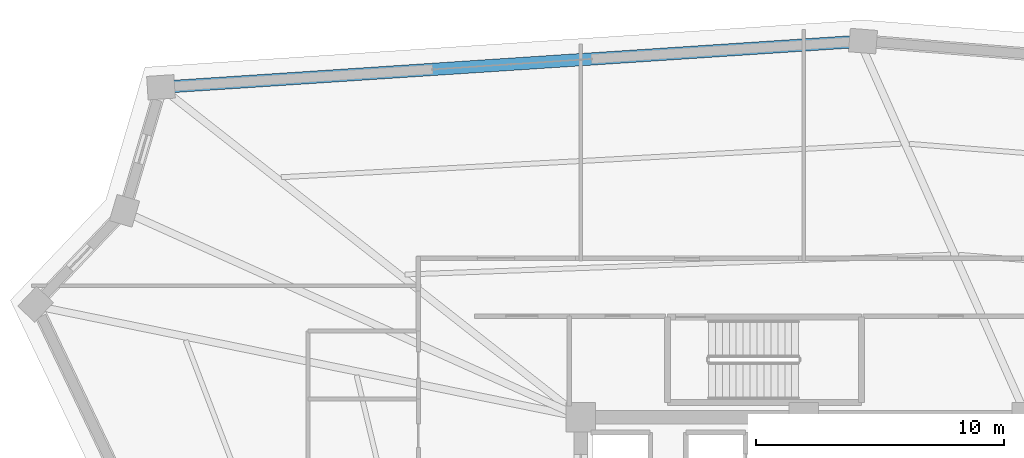
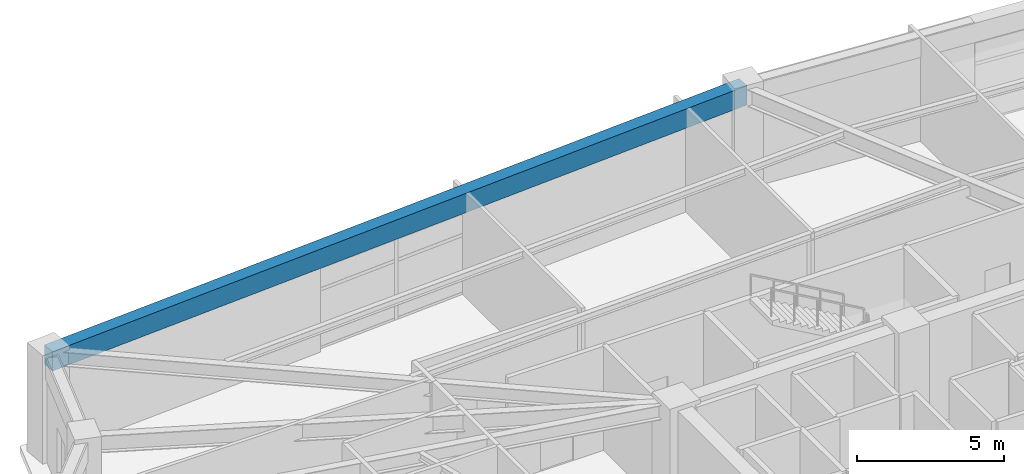
# One storey, part 19 of 35: 1 beam.
"""IFC4 building model written with IfcOpenShell, lengths in metres."""

from ifc_helpers import new_model, si_unit, direction, frame, origin, origin_2d, place, context, subcontext, project, spatial, rectangle, extrude, source, transform, mapped, material, material_profile, profile_set, type_object, element, save


model = new_model("IFC4")

# Units and contexts
model_context = context("Model", 3, precision=1e-05, world=origin(), true_north=direction((0.0, 1.0)))
body_context = subcontext(model_context, "Body", "Model", "MODEL_VIEW")
ifc_project = project(units=[si_unit("LENGTHUNIT", "METRE"), si_unit("AREAUNIT", "SQUARE_METRE"), si_unit("VOLUMEUNIT", "CUBIC_METRE"), si_unit("PLANEANGLEUNIT", "RADIAN"), si_unit("MASSUNIT", "GRAM", prefix="KILO")], contexts=[model_context])

# Site, building, storey
site_placement = place(None, origin())
site = spatial("IfcSite", under=ifc_project, at=site_placement, CompositionType="ELEMENT")
building_placement = place(site_placement, origin())
building = spatial("IfcBuilding", under=site, at=building_placement, Name="Liaohun Quay Tower", CompositionType="ELEMENT")
storey_placement = place(building_placement, frame((0.0, 0.0, 282.0)))
storey = spatial("IfcBuildingStorey", under=building, at=storey_placement, Name="L73", CompositionType="ELEMENT", Elevation=282.0)

# Beam
ifc_material = material(Name="Precast concrete C50", Category="concrete")
ifc_material_profile = material_profile(ifc_material, rectangle(XDim=0.5, YDim=0.800048828125, at=origin_2d()), Name="RC500x800")
ifc_profile_set = profile_set([ifc_material_profile], Name="Precast concrete C50")
beam_type = type_object("IfcBeamType", Name="BM-SPD-Z4", PredefinedType="SPANDREL", material=ifc_profile_set)
shared_shape = source(origin(), body_context, "Body", "SweptSolid", [
    extrude(rectangle(XDim=0.5, YDim=0.800048828125, at=origin_2d()), origin(), (0.0, 0.0, 1.0), 28.39208984375),
])
beam_placement = place(storey_placement, frame((34.055908203125, 74.81494140625, 3.919921875), z_axis=(0.997847080207, 0.065583568997, 0.0), x_axis=(-0.065583568997, 0.997847080207, 0.0)))
element("IfcBeam", 1, at=beam_placement, inside=storey, type_object=beam_type, Name="L73 Precast Spandrel Beam PC05-PC06", PredefinedType="SPANDREL", context=body_context, shape_type="MappedRepresentation", body=[
    mapped(shared_shape, transform((0.0, 0.0, 0.0), x_axis=(1.0, 0.0, 0.0), y_axis=(0.0, 1.0, 0.0), z_axis=(0.0, 0.0, 1.0), scale=1.0)),
])

save(model, "model.ifc")
